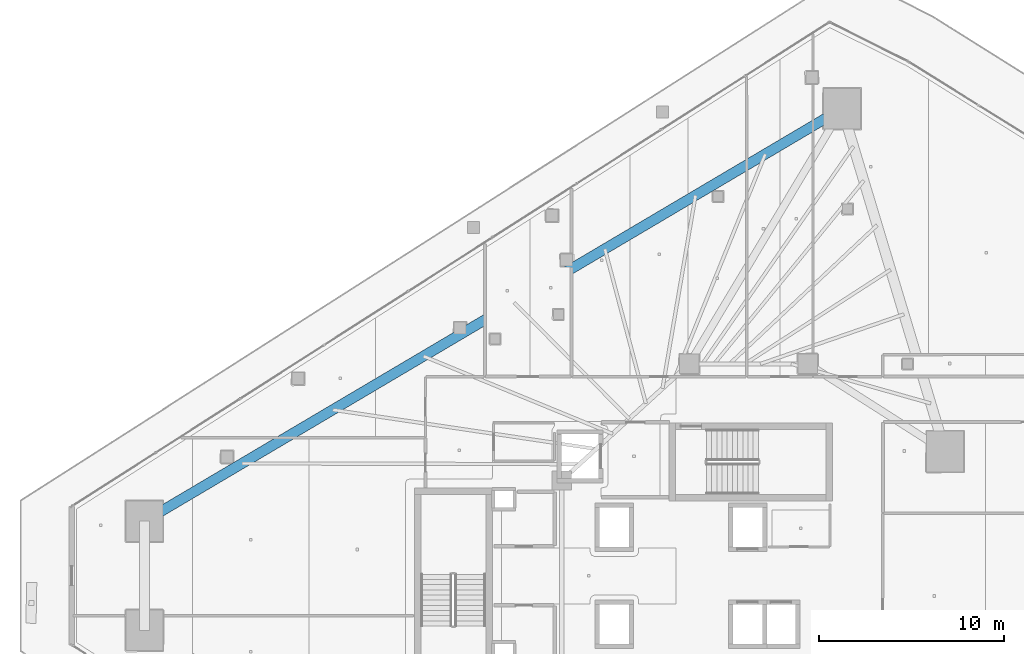
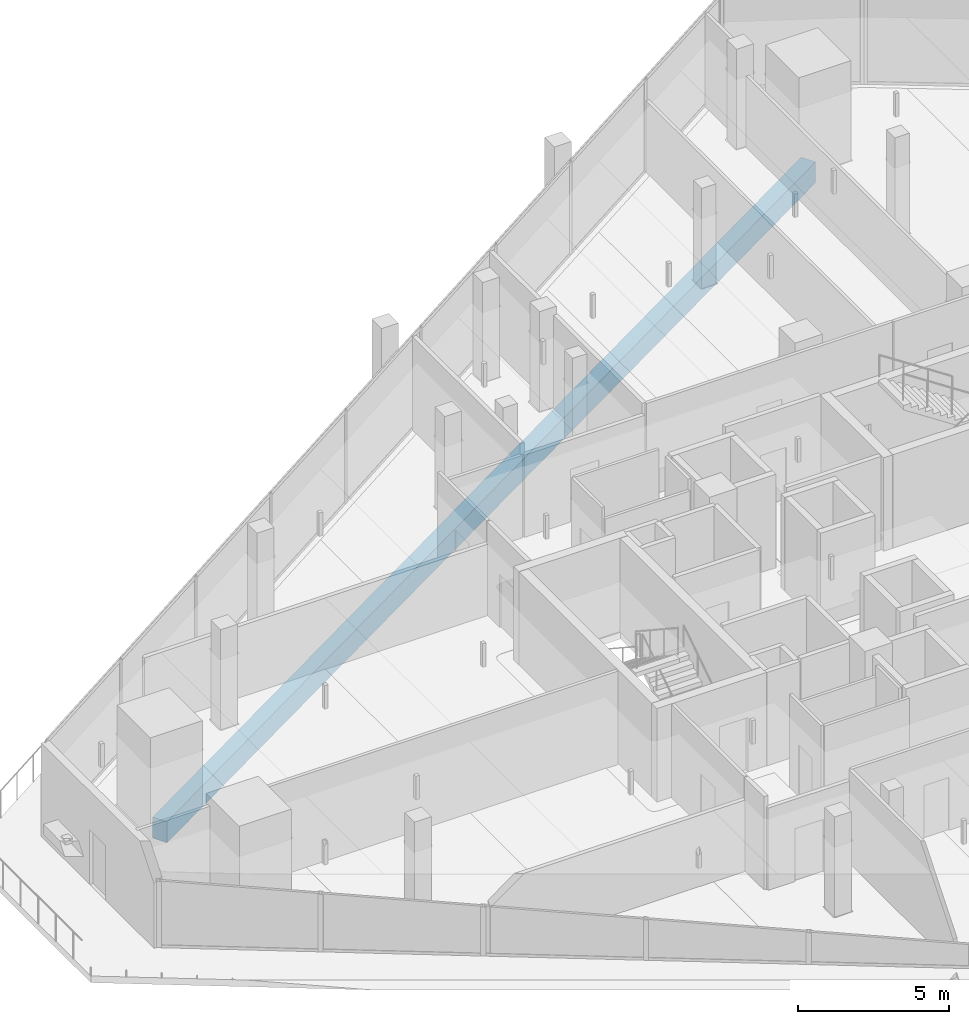
# One storey, part 16 of 38: 1 beam.
"""IFC4 building model written with IfcOpenShell, lengths in metres."""

from ifc_helpers import new_model, si_unit, direction, frame, origin, origin_2d, place, context, subcontext, project, spatial, rectangle, extrude, material, material_profile, profile_set, type_object, element, save


model = new_model("IFC4")

# Units and contexts
model_context = context("Model", 3, precision=1e-05, world=origin(), true_north=direction((0.0, 1.0)))
body_context = subcontext(model_context, "Body", "Model", "MODEL_VIEW")
ifc_project = project(units=[si_unit("LENGTHUNIT", "METRE"), si_unit("AREAUNIT", "SQUARE_METRE"), si_unit("VOLUMEUNIT", "CUBIC_METRE"), si_unit("PLANEANGLEUNIT", "RADIAN"), si_unit("MASSUNIT", "GRAM", prefix="KILO")], contexts=[model_context])

# Site, building, storey
site_placement = place(None, origin())
site = spatial("IfcSite", under=ifc_project, at=site_placement, CompositionType="ELEMENT")
building_placement = place(site_placement, origin())
building = spatial("IfcBuilding", under=site, at=building_placement, Name="Qorvath Tower", CompositionType="ELEMENT")
storey_placement = place(building_placement, frame((0.0, 0.0, 146.25)))
storey = spatial("IfcBuildingStorey", under=building, at=storey_placement, Name="L33", CompositionType="ELEMENT", Elevation=146.25)

# Beam
ifc_material = material(Name="Concrete C50/60", Category="concrete")
ifc_material_profile = material_profile(ifc_material, rectangle(XDim=0.550048828125, YDim=0.85009765625, at=origin_2d()), Name="RCB 850x550")
ifc_profile_set = profile_set([ifc_material_profile], Name="Concrete C50/60")
beam_type = type_object("IfcBeamType", Name="BM-RCB2", PredefinedType="SPANDREL", material=ifc_profile_set)
beam_placement = place(storey_placement, frame((-15.34423828125, 25.24609375, -0.695068359375), z_axis=(-0.860775142889, -0.508985415689, 0.0), x_axis=(0.508985415689, -0.860775142889, 0.0)))
element("IfcBeam", 1, at=beam_placement, inside=storey, type_object=beam_type, Name="Perimeter Loggia Frame Beam MC6-MC1 L33", PredefinedType="SPANDREL", context=body_context, shape_type="SweptSolid", body=[
    extrude(rectangle(XDim=0.550048828125, YDim=0.85009765625, at=origin_2d()), origin(), (0.0, 0.0, 1.0), 43.8037109375),
])

save(model, "model.ifc")
